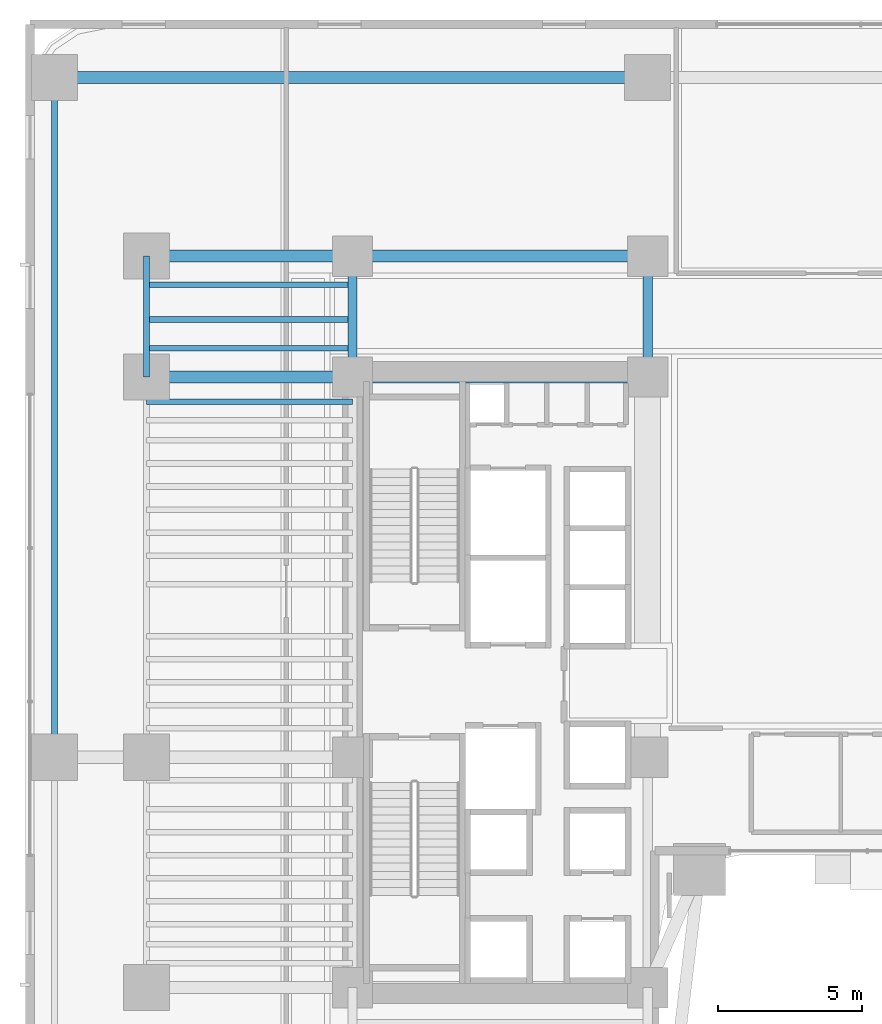
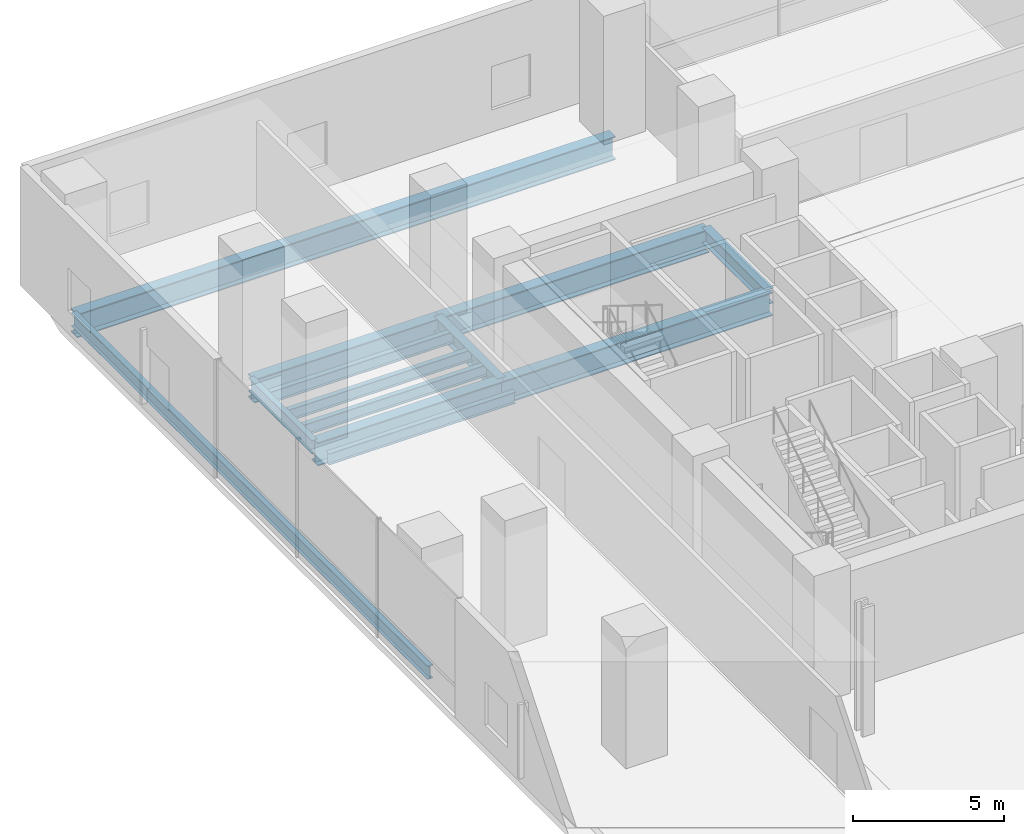
# One storey, part 13 of 39: 13 beams.
"""IFC4 building model written with IfcOpenShell, lengths in metres."""

from ifc_helpers import new_model, si_unit, direction, frame, origin, origin_2d, place, context, subcontext, project, spatial, i_section, extrude, source, transform, mapped, material, material_profile, profile_set, type_object, element, save


model = new_model("IFC4")

# Units and contexts
model_context = context("Model", 3, precision=1e-05, world=origin(), true_north=direction((0.0, 1.0)))
body_context = subcontext(model_context, "Body", "Model", "MODEL_VIEW")
ifc_project = project(units=[si_unit("LENGTHUNIT", "METRE"), si_unit("AREAUNIT", "SQUARE_METRE"), si_unit("VOLUMEUNIT", "CUBIC_METRE"), si_unit("PLANEANGLEUNIT", "RADIAN"), si_unit("MASSUNIT", "GRAM", prefix="KILO")], contexts=[model_context])

# Site, building, storey
site_placement = place(None, origin())
site = spatial("IfcSite", under=ifc_project, at=site_placement, CompositionType="ELEMENT")
building_placement = place(site_placement, origin())
building = spatial("IfcBuilding", under=site, at=building_placement, Name="Valdorenza Pilgrim Sanctuary Tower", CompositionType="ELEMENT")
storey_placement = place(building_placement, frame((0.0, 0.0, 15.60009765625)))
storey = spatial("IfcBuildingStorey", under=building, at=storey_placement, Name="L03", CompositionType="ELEMENT", Elevation=15.60009765625)

# Beams
ifc_material = material(Name="Steel ASTM A992 Grade 50", Category="steel")
ifc_material_profile_1 = material_profile(ifc_material, i_section(OverallWidth=0.423095703125, OverallDepth=0.947998046875, WebThickness=0.02392578125, FlangeThickness=0.042724609375, at=origin_2d()), Name="W36X302")
ifc_profile_set_1 = profile_set([ifc_material_profile_1], Name="Steel ASTM A992 Grade 50")
beam_type_1 = type_object("IfcBeamType", Name="STR-BM-GRD-W36A", PredefinedType="BEAM", material=ifc_profile_set_1)
shared_shape_1 = source(origin(), body_context, "Body", "SweptSolid", [
    extrude(i_section(OverallWidth=0.423095703125, OverallDepth=0.947998046875, WebThickness=0.02392578125, FlangeThickness=0.042724609375, at=origin_2d()), origin(), (0.0, 0.0, 1.0), 7.150146484375),
])
for number, where, z_axis, x_axis, name in (
    (1, (-29.800048828125, 10.60009765625, -0.754150390625), (1.0, 0.0, 0.0), (0.0, 1.0, 0.0), "L03 Floor Girder WA-XW-N1"),
    (2, (-29.800048828125, 14.800048828125, -0.754150390625), (1.0, 0.0, 0.0), (0.0, 1.0, 0.0), "L03 Floor Girder WA-XW-N2"),
):
    element("IfcBeam", number, at=place(storey_placement, frame(where, z_axis=z_axis, x_axis=x_axis)), inside=storey, type_object=beam_type_1, Name=name, PredefinedType="BEAM", context=body_context, shape_type="MappedRepresentation", body=[
        mapped(shared_shape_1, transform((0.0, 0.0, 0.0), x_axis=(1.0, 0.0, 0.0), y_axis=(0.0, 1.0, 0.0), z_axis=(0.0, 0.0, 1.0), scale=1.0)),
    ])
shared_shape_2 = source(origin(), body_context, "Body", "SweptSolid", [
    extrude(i_section(OverallWidth=0.423095703125, OverallDepth=0.947998046875, WebThickness=0.02392578125, FlangeThickness=0.042724609375, at=origin_2d()), origin(), (0.0, 0.0, 1.0), 10.25),
])
for number, where, z_axis, x_axis, name in (
    (3, (-22.64990234375, 10.60009765625, -0.754150390625), (1.0, 0.0, 0.0), (0.0, 1.0, 0.0), "L03 Floor Girder CA-XC-N1"),
    (4, (-22.64990234375, 14.800048828125, -0.754150390625), (1.0, 0.0, 0.0), (0.0, 1.0, 0.0), "L03 Floor Girder CA-XC-N2"),
):
    element("IfcBeam", number, at=place(storey_placement, frame(where, z_axis=z_axis, x_axis=x_axis)), inside=storey, type_object=beam_type_1, Name=name, PredefinedType="BEAM", context=body_context, shape_type="MappedRepresentation", body=[
        mapped(shared_shape_2, transform((0.0, 0.0, 0.0), x_axis=(1.0, 0.0, 0.0), y_axis=(0.0, 1.0, 0.0), z_axis=(0.0, 0.0, 1.0), scale=1.0)),
    ])
ifc_material_profile_2 = material_profile(ifc_material, i_section(OverallWidth=0.214111328125, OverallDepth=0.549072265625, WebThickness=0.0146484375, FlangeThickness=0.023681640625, at=origin_2d()), Name="W21X93")
ifc_profile_set_2 = profile_set([ifc_material_profile_2], Name="Steel ASTM A992 Grade 50")
beam_type_2 = type_object("IfcBeamType", Name="STR-BM-SPN-W21A", PredefinedType="SPANDREL", material=ifc_profile_set_2)
shared_shape_3 = source(origin(), body_context, "Body", "SweptSolid", [
    extrude(i_section(OverallWidth=0.214111328125, OverallDepth=0.549072265625, WebThickness=0.0146484375, FlangeThickness=0.023681640625, at=origin_2d()), origin(), (0.0, 0.0, 1.0), 4.199951171875),
])
beam_1_placement = place(storey_placement, frame((-29.800048828125, 10.60009765625, -0.5546875), z_axis=(0.0, 1.0, 0.0), x_axis=(-1.0, 0.0, 0.0)))
element("IfcBeam", 5, at=beam_1_placement, inside=storey, type_object=beam_type_2, Name="L03 Spandrel Beam WA-W-N1N2", PredefinedType="SPANDREL", context=body_context, shape_type="MappedRepresentation", body=[
    mapped(shared_shape_3, transform((0.0, 0.0, 0.0), x_axis=(1.0, 0.0, 0.0), y_axis=(0.0, 1.0, 0.0), z_axis=(0.0, 0.0, 1.0), scale=1.0)),
])
ifc_material_profile_3 = material_profile(ifc_material, i_section(OverallWidth=0.323974609375, OverallDepth=0.611083984375, WebThickness=0.0126953125, FlangeThickness=0.01904296875, at=origin_2d()), Name="W24X104")
ifc_profile_set_3 = profile_set([ifc_material_profile_3], Name="Steel ASTM A992 Grade 50")
beam_type_3 = type_object("IfcBeamType", Name="STR-BM-GRD-W24B", PredefinedType="BEAM", material=ifc_profile_set_3)
shared_shape_4 = source(origin(), body_context, "Body", "SweptSolid", [
    extrude(i_section(OverallWidth=0.323974609375, OverallDepth=0.611083984375, WebThickness=0.0126953125, FlangeThickness=0.01904296875, at=origin_2d()), origin(), (0.0, 0.0, 1.0), 4.199951171875),
])
for number, where, z_axis, x_axis, name in (
    (6, (-22.64990234375, 10.60009765625, -0.585693359375), (0.0, 1.0, 0.0), (-1.0, 0.0, 0.0), "L03 Core Tie Girder CA-W-N1N2"),
    (7, (-12.39990234375, 10.60009765625, -0.585693359375), (0.0, 1.0, 0.0), (-1.0, 0.0, 0.0), "L03 Core Tie Girder CA-E-N1N2"),
):
    element("IfcBeam", number, at=place(storey_placement, frame(where, z_axis=z_axis, x_axis=x_axis)), inside=storey, type_object=beam_type_3, Name=name, PredefinedType="BEAM", context=body_context, shape_type="MappedRepresentation", body=[
        mapped(shared_shape_4, transform((0.0, 0.0, 0.0), x_axis=(1.0, 0.0, 0.0), y_axis=(0.0, 1.0, 0.0), z_axis=(0.0, 0.0, 1.0), scale=1.0)),
    ])
ifc_material_profile_4 = material_profile(ifc_material, i_section(OverallWidth=0.193115234375, OverallDepth=0.466064453125, WebThickness=0.011474609375, FlangeThickness=0.01904296875, at=origin_2d()), Name="W18X65")
ifc_profile_set_4 = profile_set([ifc_material_profile_4], Name="Steel ASTM A992 Grade 50")
beam_type_4 = type_object("IfcBeamType", Name="STR-BM-JST-W18A", PredefinedType="JOIST", material=ifc_profile_set_4)
shared_shape_5 = source(origin(), body_context, "Body", "SweptSolid", [
    extrude(i_section(OverallWidth=0.193115234375, OverallDepth=0.466064453125, WebThickness=0.011474609375, FlangeThickness=0.01904296875, at=origin_2d()), origin(), (0.0, 0.0, 1.0), 7.150146484375),
])
for number, where, z_axis, x_axis, name in (
    (8, (-29.800048828125, 9.75, -0.51318359375), (1.0, 0.0, 0.0), (0.0, 1.0, 0.0), "L03 Composite Floor Joist JST-WA-23"),
    (9, (-29.800048828125, 11.60009765625, -0.51318359375), (1.0, 0.0, 0.0), (0.0, 1.0, 0.0), "L03 Composite Floor Joist JST-WA-24"),
    (10, (-29.800048828125, 12.60009765625, -0.51318359375), (1.0, 0.0, 0.0), (0.0, 1.0, 0.0), "L03 Composite Floor Joist JST-WA-25"),
    (11, (-29.800048828125, 13.800048828125, -0.51318359375), (1.0, 0.0, 0.0), (0.0, 1.0, 0.0), "L03 Composite Floor Joist JST-WA-26"),
):
    element("IfcBeam", number, at=place(storey_placement, frame(where, z_axis=z_axis, x_axis=x_axis)), inside=storey, type_object=beam_type_4, Name=name, PredefinedType="JOIST", context=body_context, shape_type="MappedRepresentation", body=[
        mapped(shared_shape_5, transform((0.0, 0.0, 0.0), x_axis=(1.0, 0.0, 0.0), y_axis=(0.0, 1.0, 0.0), z_axis=(0.0, 0.0, 1.0), scale=1.0)),
    ])
shared_shape_6 = source(origin(), body_context, "Body", "SweptSolid", [
    extrude(i_section(OverallWidth=0.214111328125, OverallDepth=0.549072265625, WebThickness=0.0146484375, FlangeThickness=0.023681640625, at=origin_2d()), origin(), (0.0, 0.0, 1.0), 23.60009765625),
])
beam_2_placement = place(storey_placement, frame((-33.0, -2.60009765625, -0.5546875), z_axis=(0.0, 1.0, 0.0), x_axis=(-1.0, 0.0, 0.0)))
element("IfcBeam", 12, at=beam_2_placement, inside=storey, type_object=beam_type_2, Name="L03 Floor Girder POD-SPN-WN", PredefinedType="SPANDREL", context=body_context, shape_type="MappedRepresentation", body=[
    mapped(shared_shape_6, transform((0.0, 0.0, 0.0), x_axis=(1.0, 0.0, 0.0), y_axis=(0.0, 1.0, 0.0), z_axis=(0.0, 0.0, 1.0), scale=1.0)),
])
shared_shape_7 = source(origin(), body_context, "Body", "SweptSolid", [
    extrude(i_section(OverallWidth=0.423095703125, OverallDepth=0.947998046875, WebThickness=0.02392578125, FlangeThickness=0.042724609375, at=origin_2d()), origin(), (0.0, 0.0, 1.0), 20.60009765625),
])
beam_3_placement = place(storey_placement, frame((-33.0, 21.0, -0.754150390625), z_axis=(1.0, 0.0, 0.0), x_axis=(0.0, 1.0, 0.0)))
element("IfcBeam", 13, at=beam_3_placement, inside=storey, type_object=beam_type_1, Name="L03 Floor Girder POD-N-TIE1", PredefinedType="BEAM", context=body_context, shape_type="MappedRepresentation", body=[
    mapped(shared_shape_7, transform((0.0, 0.0, 0.0), x_axis=(1.0, 0.0, 0.0), y_axis=(0.0, 1.0, 0.0), z_axis=(0.0, 0.0, 1.0), scale=1.0)),
])

save(model, "model.ifc")
